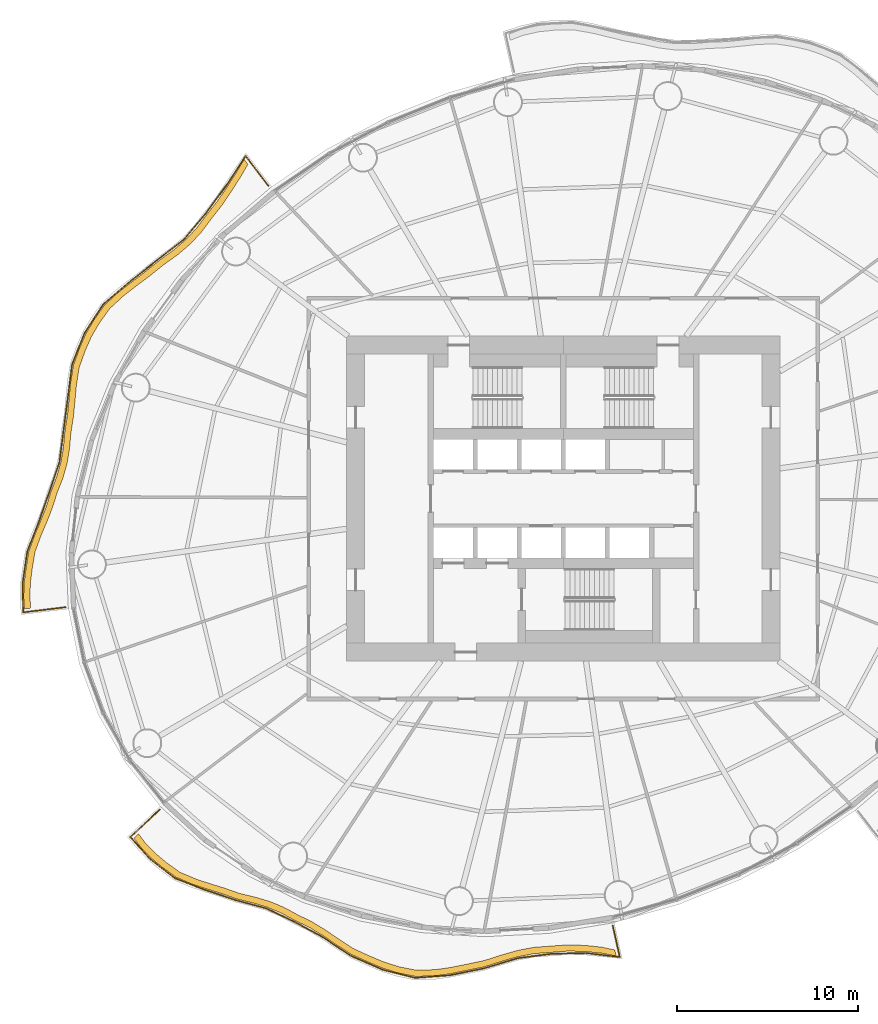
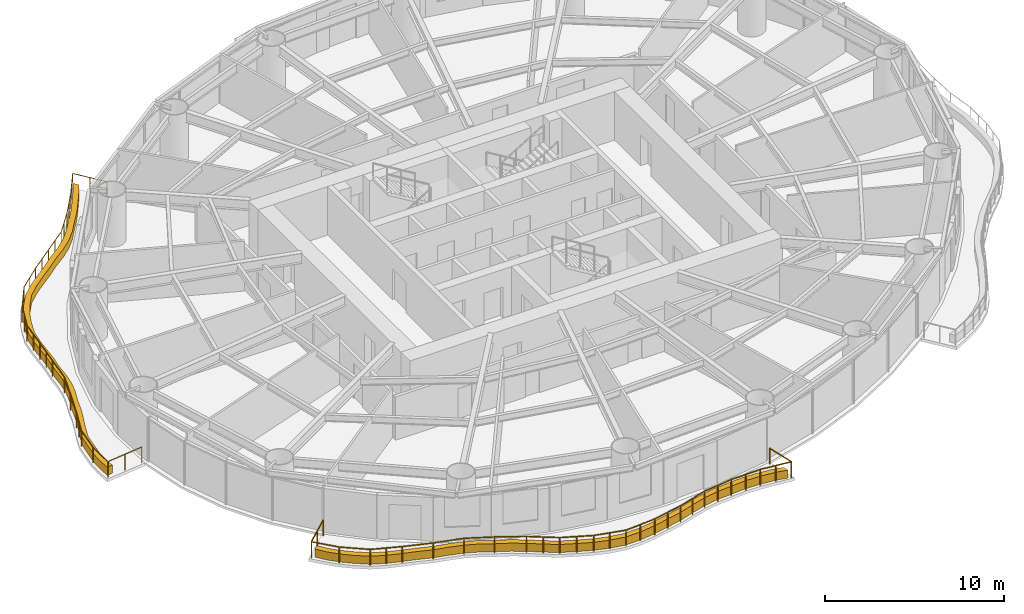
# One storey, part 12 of 14: 2 coverings, 2 railings.
"""IFC4 building model written with IfcOpenShell, lengths in metres."""

from ifc_helpers import new_model, si_unit, direction, frame, origin, origin_2d, place, context, subcontext, project, spatial, polyline, circle, outline, extrude, material, type_object, element, save


model = new_model("IFC4")

# Units and contexts
model_context = context("Model", 3, precision=1e-05, world=origin(), true_north=direction((0.0, 1.0)))
body_context = subcontext(model_context, "Body", "Model", "MODEL_VIEW")
ifc_project = project(units=[si_unit("LENGTHUNIT", "METRE"), si_unit("AREAUNIT", "SQUARE_METRE"), si_unit("VOLUMEUNIT", "CUBIC_METRE"), si_unit("PLANEANGLEUNIT", "RADIAN"), si_unit("MASSUNIT", "GRAM", prefix="KILO")], contexts=[model_context])

# Site, building, storey
site_placement = place(None, origin())
site = spatial("IfcSite", under=ifc_project, at=site_placement, CompositionType="ELEMENT")
building_placement = place(site_placement, origin())
building = spatial("IfcBuilding", under=site, at=building_placement, Name="Vermilion Reach Broadcast Tower", CompositionType="ELEMENT")
storey_placement = place(building_placement, frame((0.0, 0.0, 131.800048828125)))
storey = spatial("IfcBuildingStorey", under=building, at=storey_placement, Name="L31", CompositionType="ELEMENT", Elevation=131.800048828125)

# Coverings
ifc_material_1 = material(Name="Planting soil and greenery")
covering_type = type_object("IfcCoveringType", Name="Balcony PLANTER", PredefinedType="USERDEFINED", material=ifc_material_1)
placement = place(storey_placement, origin())
element("IfcCovering", 1, at=placement, inside=storey, type_object=covering_type, Name="PLANTER L31 group 2", ObjectType="PLANTER", PredefinedType="USERDEFINED", context=body_context, shape_type="SweptSolid", body=[
    extrude(outline(polyline([(-23.68359375, 18.79296875), (-24.073486328125, 18.124267578125), (-24.587646484375, 17.32080078125), (-25.11572265625, 16.533447265625), (-25.733642578125, 15.750244140625), (-26.317138671875, 14.9755859375), (-26.93212890625, 14.320556640625), (-27.623046875, 13.736572265625), (-28.432861328125, 13.154296875), (-29.200927734375, 12.527099609375), (-29.93798828125, 11.97607421875), (-30.65966796875, 11.4140625), (-31.42138671875, 10.705078125), (-32.006591796875, 9.884521484375), (-32.43994140625, 9.141845703125), (-32.7890625, 8.3515625), (-33.133544921875, 7.397216796875), (-33.29296875, 6.405517578125), (-33.372802734375, 5.533935546875), (-33.45654296875, 4.663818359375), (-33.607177734375, 3.728759765625), (-33.689697265625, 2.8193359375), (-33.82861328125, 2.01220703125), (-34.052734375, 1.2265625), (-34.380126953125, 0.380126953125), (-34.646484375, -0.4775390625), (-34.950927734375, -1.246337890625), (-35.275390625, -2.012939453125), (-35.608154296875, -2.93310546875), (-35.76025390625, -3.8740234375), (-35.8623046875, -4.6591796875), (-35.891845703125, -5.44140625), (-35.8466796875, -6.1083984375), (-35.499267578125, -6.06640625), (-35.5419921875, -5.42626953125), (-35.5126953125, -4.644287109375), (-35.41064453125, -3.859130859375), (-35.25830078125, -2.944091796875), (-34.927490234375, -2.050048828125), (-34.602783203125, -1.283447265625), (-34.298583984375, -0.5146484375), (-34.03564453125, 0.318359375), (-33.713623046875, 1.140625), (-33.489501953125, 1.92626953125), (-33.350341796875, 2.7333984375), (-33.2744140625, 3.6201171875), (-33.132080078125, 4.532958984375), (-33.04833984375, 5.40283203125), (-32.968505859375, 6.2744140625), (-32.818115234375, 7.24560546875), (-32.48388671875, 8.18017578125), (-32.134765625, 8.97021484375), (-31.701416015625, 9.713134765625), (-31.12744140625, 10.515380859375), (-30.377685546875, 11.206787109375), (-29.656005859375, 11.768798828125), (-28.9189453125, 12.319580078125), (-28.16357421875, 12.930908203125), (-27.3671875, 13.497802734375), (-26.67626953125, 14.081787109375), (-26.061279296875, 14.73681640625), (-25.49169921875, 15.497314453125), (-24.888427734375, 16.267333984375), (-24.3603515625, 17.0546875), (-23.84619140625, 17.858154296875), (-23.47119140625, 18.5146484375), (-23.68359375, 18.79296875)])), origin(), (0.0, 0.0, 1.0), 0.550048828125),
])
element("IfcCovering", 2, at=placement, inside=storey, type_object=covering_type, Name="PLANTER L31 group 3", ObjectType="PLANTER", PredefinedType="USERDEFINED", context=body_context, shape_type="SweptSolid", body=[
    extrude(outline(polyline([(-29.784912109375, -18.805419921875), (-29.38134765625, -19.337646484375), (-28.8369140625, -19.89794921875), (-28.238037109375, -20.399169921875), (-27.46142578125, -20.9609375), (-26.5576171875, -21.353271484375), (-25.77197265625, -21.613037109375), (-24.97607421875, -21.85791015625), (-24.1025390625, -22.16943359375), (-23.1904296875, -22.392822265625), (-22.3984375, -22.630859375), (-21.642333984375, -22.942626953125), (-20.858154296875, -23.3662109375), (-20.0302734375, -23.768798828125), (-19.294677734375, -24.216064453125), (-18.572998046875, -24.7060546875), (-17.739013671875, -25.24658203125), (-16.818115234375, -25.6640625), (-16.007568359375, -26.005126953125), (-15.181884765625, -26.2666015625), (-14.19189453125, -26.462890625), (-13.158203125, -26.4384765625), (-12.26806640625, -26.3173828125), (-11.373779296875, -26.13525390625), (-10.380615234375, -25.933349609375), (-9.3994140625, -25.623046875), (-8.512939453125, -25.370361328125), (-7.6220703125, -25.201171875), (-6.666259765625, -25.131591796875), (-5.69287109375, -25.057861328125), (-4.762451171875, -25.08837890625), (-3.821044921875, -25.184326171875), (-3.071044921875, -25.340576171875), (-3.14697265625, -24.9990234375), (-3.87841796875, -24.839111328125), (-4.819580078125, -24.742919921875), (-5.75, -24.712646484375), (-6.7041015625, -24.783447265625), (-7.64013671875, -24.8515625), (-8.531005859375, -25.020751953125), (-9.41748046875, -25.2734375), (-10.378173828125, -25.583251953125), (-11.35107421875, -25.785888671875), (-12.2451171875, -25.96826171875), (-13.135498046875, -26.08935546875), (-14.147705078125, -26.11572265625), (-15.11669921875, -25.922607421875), (-15.9423828125, -25.6611328125), (-16.7529296875, -25.3203125), (-17.65185546875, -24.90771484375), (-18.46435546875, -24.373291015625), (-19.18603515625, -23.88330078125), (-19.921630859375, -23.43603515625), (-20.72705078125, -23.04150390625), (-21.48974609375, -22.627685546875), (-22.245849609375, -22.31591796875), (-23.037841796875, -22.07763671875), (-23.927978515625, -21.865966796875), (-24.780517578125, -21.56787109375), (-25.576171875, -21.32275390625), (-26.362060546875, -21.063232421875), (-27.24462890625, -20.68603515625), (-28.00146484375, -20.141357421875), (-28.60009765625, -19.64013671875), (-29.144775390625, -19.07958984375), (-29.529052734375, -18.56640625), (-29.784912109375, -18.805419921875)])), origin(), (0.0, 0.0, 1.0), 0.550048828125),
])

# Railings
ifc_material_2 = material(Name="Stainless steel 316 balustrade", Category="steel")
railing_type = type_object("IfcRailingType", Name="Balcony guard 1100", PredefinedType="BALUSTRADE", material=ifc_material_2)
railing_1_placement = place(storey_placement, frame((-22.333251953125, 17.320556640625, 0.0)))
element("IfcRailing", 3, at=railing_1_placement, inside=storey, type_object=railing_type, Name="Balcony guard L31 group 2", PredefinedType="BALUSTRADE", context=body_context, shape_type="SweptSolid", body=[
    extrude(circle(Radius=0.02490234375, at=origin_2d()), frame((0.0, 0.0, 1.0751953125), z_axis=(-0.606852926943, 0.79481414498, 0.0), x_axis=(-0.79481414498, -0.606852926943, 0.0)), (0.0, 0.0, 1.0), 2.07958984375),
    extrude(circle(Radius=0.02490234375, at=origin_2d()), frame((-1.261962890625, 1.65283203125, 1.0751953125), z_axis=(-0.548589214826, -0.836092024466, 0.0), x_axis=(0.836092024466, -0.548589214826, 0.0)), (0.0, 0.0, 1.0), 1.90380859375),
    extrude(circle(Radius=0.02490234375, at=origin_2d()), frame((-2.306396484375, 0.06103515625, 1.0751953125), z_axis=(-0.589809263039, -0.807542589114, 0.0), x_axis=(0.807542589114, -0.589809263039, 0.0)), (0.0, 0.0, 1.0), 1.94873046875),
    extrude(circle(Radius=0.02490234375, at=origin_2d()), frame((-3.455810546875, -1.5126953125, 1.0751953125), z_axis=(-0.642570224256, -0.766226798605, 0.0), x_axis=(0.766226798605, -0.642570224256, 0.0)), (0.0, 0.0, 1.0), 1.86962890625),
    extrude(circle(Radius=0.02490234375, at=origin_2d()), frame((-4.6572265625, -2.9453125, 1.0751953125), z_axis=(-0.789345318575, -0.6139494833, 0.0), x_axis=(0.6139494833, -0.789345318575, 0.0)), (0.0, 0.0, 1.0), 1.905517578125),
    extrude(circle(Radius=0.02490234375, at=origin_2d()), frame((-6.161376953125, -4.115234375, 1.0751953125), z_axis=(-0.787034175872, -0.616909398542, 0.0), x_axis=(0.616909398542, -0.787034175872, 0.0)), (0.0, 0.0, 1.0), 1.915771484375),
    extrude(circle(Radius=0.02490234375, at=origin_2d()), frame((-7.669189453125, -5.297119140625, 1.0751953125), z_axis=(-0.758974883435, -0.651119901642, 0.0), x_axis=(0.651119901642, -0.758974883435, 0.0)), (0.0, 0.0, 1.0), 1.9580078125),
    extrude(circle(Radius=0.02490234375, at=origin_2d()), frame((-9.1552734375, -6.572021484375, 1.0751953125), z_axis=(-0.545754155685, -0.837945345206, 0.0), x_axis=(0.837945345206, -0.545754155685, 0.0)), (0.0, 0.0, 1.0), 1.870849609375),
    extrude(circle(Radius=0.02490234375, at=origin_2d()), frame((-10.17626953125, -8.1396484375, 1.0751953125), z_axis=(-0.369869700321, -0.929083637131, 0.0), x_axis=(0.929083637131, -0.369869700321, 0.0)), (0.0, 0.0, 1.0), 1.882568359375),
    extrude(circle(Radius=0.02490234375, at=origin_2d()), frame((-10.87255859375, -9.888671875, 1.0751953125), z_axis=(-0.128070048781, -0.991765124717, 0.0), x_axis=(0.991765124717, -0.128070048781, 0.0)), (0.0, 0.0, 1.0), 1.883544921875),
    extrude(circle(Radius=0.02490234375, at=origin_2d()), frame((-11.11376953125, -11.756591796875, 1.0751953125), z_axis=(-0.129316315811, -0.991603393734, 0.0), x_axis=(0.991603393734, -0.129316315811, 0.0)), (0.0, 0.0, 1.0), 1.82568359375),
    extrude(circle(Radius=0.02490234375, at=origin_2d()), frame((-11.349853515625, -13.56689453125, 1.0751953125), z_axis=(-0.12853353921, -0.991705162484, 0.0), x_axis=(0.991705162484, -0.12853353921, 0.0)), (0.0, 0.0, 1.0), 1.736083984375),
    extrude(circle(Radius=0.02490234375, at=origin_2d()), frame((-11.572998046875, -15.28857421875, 1.0751953125), z_axis=(-0.319658172319, -0.947532929702, 0.0), x_axis=(0.947532929702, -0.319658172319, 0.0)), (0.0, 0.0, 1.0), 1.728271484375),
    extrude(circle(Radius=0.02490234375, at=origin_2d()), frame((-12.12548828125, -16.92626953125, 1.0751953125), z_axis=(-0.330589343333, -0.943774700908, 0.0), x_axis=(0.943774700908, -0.330589343333, 0.0)), (0.0, 0.0, 1.0), 1.7294921875),
    extrude(circle(Radius=0.02490234375, at=origin_2d()), frame((-12.697265625, -18.55859375, 1.0751953125), z_axis=(-0.362193218387, -0.93210303752, 0.0), x_axis=(0.93210303752, -0.362193218387, 0.0)), (0.0, 0.0, 1.0), 1.81591796875),
    extrude(circle(Radius=0.02490234375, at=origin_2d()), frame((-13.35498046875, -20.251220703125, 1.0751953125), z_axis=(-0.145052290684, -0.989423990495, 0.0), x_axis=(0.989423990495, -0.145052290684, 0.0)), (0.0, 0.0, 1.0), 1.75048828125),
    extrude(circle(Radius=0.02490234375, at=origin_2d()), frame((-13.60888671875, -21.983154296875, 1.0751953125), z_axis=(0.014480416522, -0.999895153272, 0.0), x_axis=(0.999895153272, 0.014480416522, 0.0)), (0.0, 0.0, 1.0), 1.635498046875),
    extrude(circle(Radius=0.02490234375, at=origin_2d()), frame((-13.585205078125, -23.618408203125, 1.0751953125), z_axis=(0.992781858524, 0.119934070994, 0.0), x_axis=(-0.119934070994, 0.992781858524, 0.0)), (0.0, 0.0, 1.0), 2.367431640625),
    extrude(circle(Radius=0.02490234375, at=origin_2d()), origin(), (0.0, 0.0, 1.0), 1.050048828125),
    extrude(circle(Radius=0.02490234375, at=origin_2d()), frame((-0.630859375, 0.826416015625, 0.0)), (0.0, 0.0, 1.0), 1.050048828125),
    extrude(circle(Radius=0.02490234375, at=origin_2d()), frame((-1.261962890625, 1.65283203125, 0.0)), (0.0, 0.0, 1.0), 1.050048828125),
    extrude(circle(Radius=0.02490234375, at=origin_2d()), frame((-1.7841796875, 0.85693359375, 0.0)), (0.0, 0.0, 1.0), 1.050048828125),
    extrude(circle(Radius=0.02490234375, at=origin_2d()), frame((-2.306396484375, 0.06103515625, 0.0)), (0.0, 0.0, 1.0), 1.050048828125),
    extrude(circle(Radius=0.02490234375, at=origin_2d()), frame((-2.881103515625, -0.725830078125, 0.0)), (0.0, 0.0, 1.0), 1.050048828125),
    extrude(circle(Radius=0.02490234375, at=origin_2d()), frame((-3.455810546875, -1.5126953125, 0.0)), (0.0, 0.0, 1.0), 1.050048828125),
    extrude(circle(Radius=0.02490234375, at=origin_2d()), frame((-4.056640625, -2.22900390625, 0.0)), (0.0, 0.0, 1.0), 1.050048828125),
    extrude(circle(Radius=0.02490234375, at=origin_2d()), frame((-4.6572265625, -2.9453125, 0.0)), (0.0, 0.0, 1.0), 1.050048828125),
    extrude(circle(Radius=0.02490234375, at=origin_2d()), frame((-5.4091796875, -3.5302734375, 0.0)), (0.0, 0.0, 1.0), 1.050048828125),
    extrude(circle(Radius=0.02490234375, at=origin_2d()), frame((-6.161376953125, -4.115234375, 0.0)), (0.0, 0.0, 1.0), 1.050048828125),
    extrude(circle(Radius=0.02490234375, at=origin_2d()), frame((-6.915283203125, -4.7060546875, 0.0)), (0.0, 0.0, 1.0), 1.050048828125),
    extrude(circle(Radius=0.02490234375, at=origin_2d()), frame((-7.669189453125, -5.297119140625, 0.0)), (0.0, 0.0, 1.0), 1.050048828125),
    extrude(circle(Radius=0.02490234375, at=origin_2d()), frame((-8.412109375, -5.9345703125, 0.0)), (0.0, 0.0, 1.0), 1.050048828125),
    extrude(circle(Radius=0.02490234375, at=origin_2d()), frame((-9.1552734375, -6.572021484375, 0.0)), (0.0, 0.0, 1.0), 1.050048828125),
    extrude(circle(Radius=0.02490234375, at=origin_2d()), frame((-9.665771484375, -7.35595703125, 0.0)), (0.0, 0.0, 1.0), 1.050048828125),
    extrude(circle(Radius=0.02490234375, at=origin_2d()), frame((-10.17626953125, -8.1396484375, 0.0)), (0.0, 0.0, 1.0), 1.050048828125),
    extrude(circle(Radius=0.02490234375, at=origin_2d()), frame((-10.5244140625, -9.01416015625, 0.0)), (0.0, 0.0, 1.0), 1.050048828125),
    extrude(circle(Radius=0.02490234375, at=origin_2d()), frame((-10.87255859375, -9.888671875, 0.0)), (0.0, 0.0, 1.0), 1.050048828125),
    extrude(circle(Radius=0.02490234375, at=origin_2d()), frame((-10.9931640625, -10.82275390625, 0.0)), (0.0, 0.0, 1.0), 1.050048828125),
    extrude(circle(Radius=0.02490234375, at=origin_2d()), frame((-11.11376953125, -11.756591796875, 0.0)), (0.0, 0.0, 1.0), 1.050048828125),
    extrude(circle(Radius=0.02490234375, at=origin_2d()), frame((-11.23193359375, -12.66162109375, 0.0)), (0.0, 0.0, 1.0), 1.050048828125),
    extrude(circle(Radius=0.02490234375, at=origin_2d()), frame((-11.349853515625, -13.56689453125, 0.0)), (0.0, 0.0, 1.0), 1.050048828125),
    extrude(circle(Radius=0.02490234375, at=origin_2d()), frame((-11.572998046875, -15.28857421875, 0.0)), (0.0, 0.0, 1.0), 1.050048828125),
    extrude(circle(Radius=0.02490234375, at=origin_2d()), frame((-12.12548828125, -16.92626953125, 0.0)), (0.0, 0.0, 1.0), 1.050048828125),
    extrude(circle(Radius=0.02490234375, at=origin_2d()), frame((-12.697265625, -18.55859375, 0.0)), (0.0, 0.0, 1.0), 1.050048828125),
    extrude(circle(Radius=0.02490234375, at=origin_2d()), frame((-13.026123046875, -19.40478515625, 0.0)), (0.0, 0.0, 1.0), 1.050048828125),
    extrude(circle(Radius=0.02490234375, at=origin_2d()), frame((-13.35498046875, -20.251220703125, 0.0)), (0.0, 0.0, 1.0), 1.050048828125),
    extrude(circle(Radius=0.02490234375, at=origin_2d()), frame((-13.60888671875, -21.983154296875, 0.0)), (0.0, 0.0, 1.0), 1.050048828125),
    extrude(circle(Radius=0.02490234375, at=origin_2d()), frame((-13.585205078125, -23.618408203125, 0.0)), (0.0, 0.0, 1.0), 1.050048828125),
    extrude(circle(Radius=0.02490234375, at=origin_2d()), frame((-12.41015625, -23.4765625, 0.0)), (0.0, 0.0, 1.0), 1.050048828125),
    extrude(circle(Radius=0.02490234375, at=origin_2d()), frame((-11.23486328125, -23.33447265625, 0.0)), (0.0, 0.0, 1.0), 1.050048828125),
])
railing_2_placement = place(storey_placement, frame((-28.351318359375, -17.221435546875, 0.0)))
element("IfcRailing", 4, at=railing_2_placement, inside=storey, type_object=railing_type, Name="Balcony guard L31 group 3", PredefinedType="BALUSTRADE", context=body_context, shape_type="SweptSolid", body=[
    extrude(circle(Radius=0.02490234375, at=origin_2d()), frame((0.0, 0.0, 1.0751953125), z_axis=(-0.730912792186, -0.682470871333, 0.0), x_axis=(0.682470871333, -0.730912792186, 0.0)), (0.0, 0.0, 1.0), 2.22265625),
    extrude(circle(Radius=0.02490234375, at=origin_2d()), frame((-1.62451171875, -1.516845703125, 1.0751953125), z_axis=(0.664995180901, -0.746847648037, 0.0), x_axis=(0.746847648037, 0.664995180901, 0.0)), (0.0, 0.0, 1.0), 1.631591796875),
    extrude(circle(Radius=0.02490234375, at=origin_2d()), frame((-0.53955078125, -2.7353515625, 1.0751953125), z_axis=(0.791112587279, -0.611670560228, 0.0), x_axis=(0.611670560228, 0.791112587279, 0.0)), (0.0, 0.0, 1.0), 1.744140625),
    extrude(circle(Radius=0.02490234375, at=origin_2d()), frame((0.84033203125, -3.80224609375, 1.0751953125), z_axis=(0.932588527215, -0.360941323357, 0.0), x_axis=(0.360941323357, 0.932588527215, 0.0)), (0.0, 0.0, 1.0), 1.81689453125),
    extrude(circle(Radius=0.02490234375, at=origin_2d()), frame((2.53466796875, -4.4580078125, 1.0751953125), z_axis=(0.948461753369, -0.316891625633, 0.0), x_axis=(0.316891625633, 0.948461753369, 0.0)), (0.0, 0.0, 1.0), 1.76513671875),
    extrude(circle(Radius=0.02490234375, at=origin_2d()), frame((4.208740234375, -5.017333984375, 1.0751953125), z_axis=(0.965055880925, -0.262044169353, 0.0), x_axis=(0.262044169353, 0.965055880925, 0.0)), (0.0, 0.0, 1.0), 1.771240234375),
    extrude(circle(Radius=0.02490234375, at=origin_2d()), frame((5.91796875, -5.4814453125, 1.0751953125), z_axis=(0.902544011346, -0.430597616788, 0.0), x_axis=(0.430597616788, 0.902544011346, 0.0)), (0.0, 0.0, 1.0), 1.71240234375),
    extrude(circle(Radius=0.02490234375, at=origin_2d()), frame((7.46337890625, -6.21875, 1.0751953125), z_axis=(0.878699353119, -0.477375582563, 0.0), x_axis=(0.477375582563, 0.878699353119, 0.0)), (0.0, 0.0, 1.0), 1.784912109375),
    extrude(circle(Radius=0.02490234375, at=origin_2d()), frame((9.03173828125, -7.07080078125, 1.0751953125), z_axis=(0.834172366045, -0.551503820229, 0.0), x_axis=(0.551503820229, 0.834172366045, 0.0)), (0.0, 0.0, 1.0), 1.870849609375),
    extrude(circle(Radius=0.02490234375, at=origin_2d()), frame((10.59228515625, -8.1025390625, 1.0751953125), z_axis=(0.916201672567, -0.400717475518, 0.0), x_axis=(0.400717475518, 0.916201672567, 0.0)), (0.0, 0.0, 1.0), 1.8955078125),
    extrude(circle(Radius=0.02490234375, at=origin_2d()), frame((12.328857421875, -8.862060546875, 1.0751953125), z_axis=(0.969689514015, -0.244340431385, 0.0), x_axis=(0.244340431385, 0.969689514015, 0.0)), (0.0, 0.0, 1.0), 1.87744140625),
    extrude(circle(Radius=0.02490234375, at=origin_2d()), frame((14.1494140625, -9.32080078125, 1.0751953125), z_axis=(0.997185171123, 0.074978226791, 0.0), x_axis=(-0.074978226791, 0.997185171123, 0.0)), (0.0, 0.0, 1.0), 1.93408203125),
    extrude(circle(Radius=0.02490234375, at=origin_2d()), frame((16.078125, -9.17578125, 1.0751953125), z_axis=(0.980012368501, 0.198936566738, 0.0), x_axis=(-0.198936566738, 0.980012368501, 0.0)), (0.0, 0.0, 1.0), 1.930419921875),
    extrude(circle(Radius=0.02490234375, at=origin_2d()), frame((17.969970703125, -8.791748046875, 1.0751953125), z_axis=(0.957654292227, 0.287920573387, 0.0), x_axis=(-0.287920573387, 0.957654292227, 0.0)), (0.0, 0.0, 1.0), 1.955322265625),
    extrude(circle(Radius=0.02490234375, at=origin_2d()), frame((19.842529296875, -8.228759765625, 1.0751953125), z_axis=(0.991749995589, 0.128187153215, 0.0), x_axis=(-0.128187153215, 0.991749995589, 0.0)), (0.0, 0.0, 1.0), 1.866455078125),
    extrude(circle(Radius=0.02490234375, at=origin_2d()), frame((21.693603515625, -7.989501953125, 1.0751953125), z_axis=(0.999737925304, 0.022892809087, 0.0), x_axis=(-0.022892809087, 0.999737925304, 0.0)), (0.0, 0.0, 1.0), 1.908935546875),
    extrude(circle(Radius=0.02490234375, at=origin_2d()), frame((23.60205078125, -7.94580078125, 1.0751953125), z_axis=(0.993055752589, -0.117644686446, 0.0), x_axis=(0.117644686446, 0.993055752589, 0.0)), (0.0, 0.0, 1.0), 1.886474609375),
    extrude(circle(Radius=0.02490234375, at=origin_2d()), frame((25.475341796875, -8.167724609375, 1.0751953125), z_axis=(-0.217481457919, 0.976064452514, 0.0), x_axis=(-0.976064452514, -0.217481457919, 0.0)), (0.0, 0.0, 1.0), 1.78271484375),
    extrude(circle(Radius=0.02490234375, at=origin_2d()), origin(), (0.0, 0.0, 1.0), 1.050048828125),
    extrude(circle(Radius=0.02490234375, at=origin_2d()), frame((-0.812255859375, -0.75830078125, 0.0)), (0.0, 0.0, 1.0), 1.050048828125),
    extrude(circle(Radius=0.02490234375, at=origin_2d()), frame((-1.62451171875, -1.516845703125, 0.0)), (0.0, 0.0, 1.0), 1.050048828125),
    extrude(circle(Radius=0.02490234375, at=origin_2d()), frame((-0.53955078125, -2.7353515625, 0.0)), (0.0, 0.0, 1.0), 1.050048828125),
    extrude(circle(Radius=0.02490234375, at=origin_2d()), frame((0.84033203125, -3.80224609375, 0.0)), (0.0, 0.0, 1.0), 1.050048828125),
    extrude(circle(Radius=0.02490234375, at=origin_2d()), frame((1.6875, -4.130126953125, 0.0)), (0.0, 0.0, 1.0), 1.050048828125),
    extrude(circle(Radius=0.02490234375, at=origin_2d()), frame((2.53466796875, -4.4580078125, 0.0)), (0.0, 0.0, 1.0), 1.050048828125),
    extrude(circle(Radius=0.02490234375, at=origin_2d()), frame((4.208740234375, -5.017333984375, 0.0)), (0.0, 0.0, 1.0), 1.050048828125),
    extrude(circle(Radius=0.02490234375, at=origin_2d()), frame((5.91796875, -5.4814453125, 0.0)), (0.0, 0.0, 1.0), 1.050048828125),
    extrude(circle(Radius=0.02490234375, at=origin_2d()), frame((7.46337890625, -6.21875, 0.0)), (0.0, 0.0, 1.0), 1.050048828125),
    extrude(circle(Radius=0.02490234375, at=origin_2d()), frame((9.03173828125, -7.07080078125, 0.0)), (0.0, 0.0, 1.0), 1.050048828125),
    extrude(circle(Radius=0.02490234375, at=origin_2d()), frame((9.81201171875, -7.586669921875, 0.0)), (0.0, 0.0, 1.0), 1.050048828125),
    extrude(circle(Radius=0.02490234375, at=origin_2d()), frame((10.59228515625, -8.1025390625, 0.0)), (0.0, 0.0, 1.0), 1.050048828125),
    extrude(circle(Radius=0.02490234375, at=origin_2d()), frame((11.46044921875, -8.482421875, 0.0)), (0.0, 0.0, 1.0), 1.050048828125),
    extrude(circle(Radius=0.02490234375, at=origin_2d()), frame((12.328857421875, -8.862060546875, 0.0)), (0.0, 0.0, 1.0), 1.050048828125),
    extrude(circle(Radius=0.02490234375, at=origin_2d()), frame((13.2392578125, -9.09130859375, 0.0)), (0.0, 0.0, 1.0), 1.050048828125),
    extrude(circle(Radius=0.02490234375, at=origin_2d()), frame((14.1494140625, -9.32080078125, 0.0)), (0.0, 0.0, 1.0), 1.050048828125),
    extrude(circle(Radius=0.02490234375, at=origin_2d()), frame((15.11376953125, -9.248291015625, 0.0)), (0.0, 0.0, 1.0), 1.050048828125),
    extrude(circle(Radius=0.02490234375, at=origin_2d()), frame((16.078125, -9.17578125, 0.0)), (0.0, 0.0, 1.0), 1.050048828125),
    extrude(circle(Radius=0.02490234375, at=origin_2d()), frame((17.02392578125, -8.98388671875, 0.0)), (0.0, 0.0, 1.0), 1.050048828125),
    extrude(circle(Radius=0.02490234375, at=origin_2d()), frame((17.969970703125, -8.791748046875, 0.0)), (0.0, 0.0, 1.0), 1.050048828125),
    extrude(circle(Radius=0.02490234375, at=origin_2d()), frame((18.90625, -8.51025390625, 0.0)), (0.0, 0.0, 1.0), 1.050048828125),
    extrude(circle(Radius=0.02490234375, at=origin_2d()), frame((19.842529296875, -8.228759765625, 0.0)), (0.0, 0.0, 1.0), 1.050048828125),
    extrude(circle(Radius=0.02490234375, at=origin_2d()), frame((20.76806640625, -8.109130859375, 0.0)), (0.0, 0.0, 1.0), 1.050048828125),
    extrude(circle(Radius=0.02490234375, at=origin_2d()), frame((21.693603515625, -7.989501953125, 0.0)), (0.0, 0.0, 1.0), 1.050048828125),
    extrude(circle(Radius=0.02490234375, at=origin_2d()), frame((22.64794921875, -7.9677734375, 0.0)), (0.0, 0.0, 1.0), 1.050048828125),
    extrude(circle(Radius=0.02490234375, at=origin_2d()), frame((23.60205078125, -7.94580078125, 0.0)), (0.0, 0.0, 1.0), 1.050048828125),
    extrude(circle(Radius=0.02490234375, at=origin_2d()), frame((24.53857421875, -8.056640625, 0.0)), (0.0, 0.0, 1.0), 1.050048828125),
    extrude(circle(Radius=0.02490234375, at=origin_2d()), frame((25.475341796875, -8.167724609375, 0.0)), (0.0, 0.0, 1.0), 1.050048828125),
    extrude(circle(Radius=0.02490234375, at=origin_2d()), frame((25.087646484375, -6.427734375, 0.0)), (0.0, 0.0, 1.0), 1.050048828125),
])

save(model, "model.ifc")
